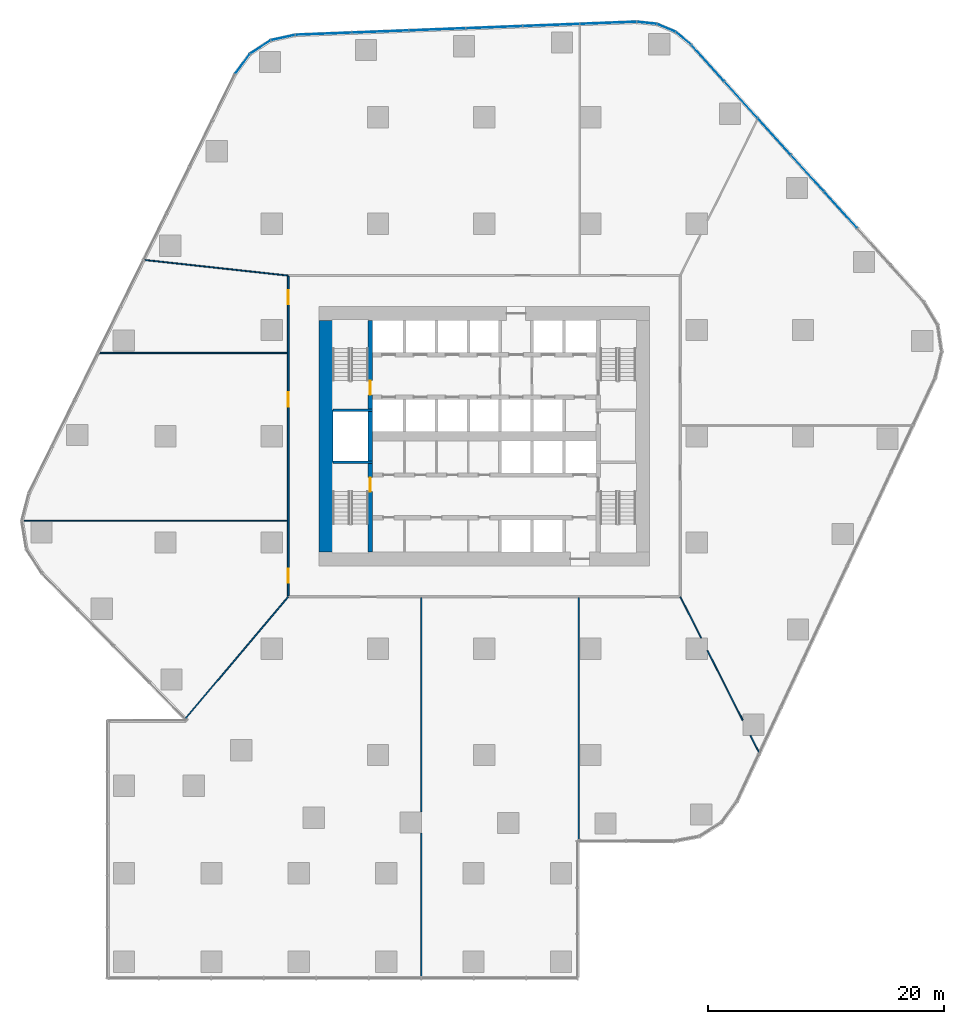
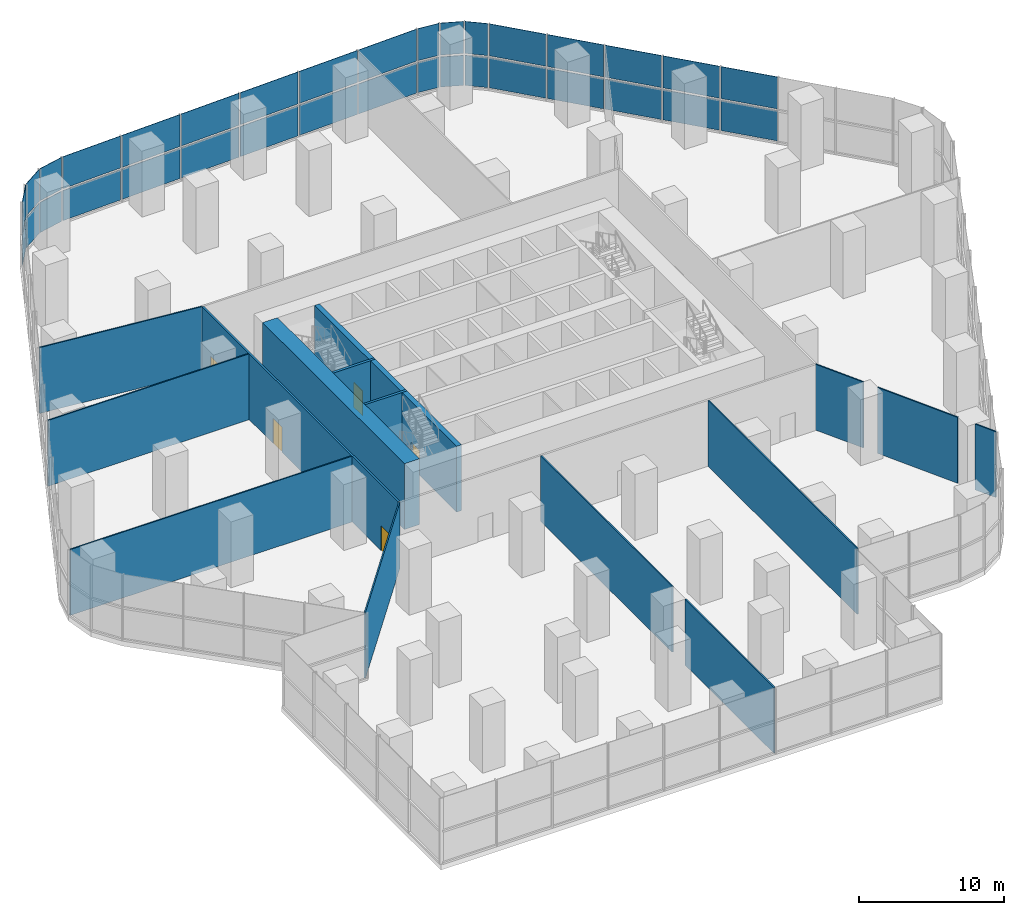
# One storey, part 10 of 15: 34 plates, 17 walls, 5 doors, 5 openings, 4 elements without a shape of their own.
"""IFC4 building model written with IfcOpenShell, lengths in metres."""

from ifc_helpers import new_model, si_unit, direction, frame, frame_2d, origin, origin_2d, place, context, subcontext, project, spatial, rectangle, extrude, material, layer, layer_set, type_object, element, fill, aggregate, save


model = new_model("IFC4")

# Units and contexts
model_context = context("Model", 3, precision=1e-05, world=origin(), true_north=direction((0.0, 1.0)))
body_context = subcontext(model_context, "Body", "Model", "MODEL_VIEW")
ifc_project = project(units=[si_unit("LENGTHUNIT", "METRE"), si_unit("AREAUNIT", "SQUARE_METRE"), si_unit("VOLUMEUNIT", "CUBIC_METRE"), si_unit("PLANEANGLEUNIT", "RADIAN"), si_unit("MASSUNIT", "GRAM", prefix="KILO")], contexts=[model_context])

# Site, building, storey
site_placement = place(None, origin())
site = spatial("IfcSite", under=ifc_project, at=site_placement, CompositionType="ELEMENT")
building_placement = place(site_placement, origin())
building = spatial("IfcBuilding", under=site, at=building_placement, Name="Dongbaek Canopy Tower", CompositionType="ELEMENT")
storey_placement = place(building_placement, frame((0.0, 0.0, 27.0)))
storey = spatial("IfcBuildingStorey", under=building, at=storey_placement, Name="L03", CompositionType="ELEMENT", Elevation=27.0)

# Curtain wall, plates
ifc_material_1 = material(Name="Aluminium 6063-T6 pale anodised", Category="aluminium")
ifc_layer_1 = layer(ifc_material_1, 0.300048828125)
ifc_layer_set_1 = layer_set([ifc_layer_1], Name="CW-2 podium hall curtain wall")
curtain_wall_type = type_object("IfcCurtainWallType", Name="CW-2 podium hall curtain wall", PredefinedType="NOTDEFINED", material=ifc_layer_set_1)
curtain_wall_1_placement = place(storey_placement, origin())
curtain_wall_1 = element("IfcCurtainWall", 1, at=curtain_wall_1_placement, inside=storey, type_object=curtain_wall_type, Name="CW-2 curtain wall F1.1", PredefinedType="NOTDEFINED")
ifc_material_2 = material(Name="Clear laminated glass", Category="glass")
ifc_layer_2 = layer(ifc_material_2, 0.035888671875)
ifc_layer_set_2 = layer_set([ifc_layer_2], Name="CW-2 glazed panel 36")
plate_type = type_object("IfcPlateType", Name="CW-2 glazed panel 36", PredefinedType="CURTAIN_PANEL", material=ifc_layer_set_2)
plate_1_placement = place(storey_placement, frame((30.193603515625, 19.164306640625, 0.16015625), z_axis=(0.0, 0.0, 1.0), x_axis=(-0.671259708345, 0.741222236547, 0.0)))
plate_1 = element("IfcPlate", 2, at=plate_1_placement, type_object=plate_type, Name="CW-2 panel F1.1.3.1", PredefinedType="CURTAIN_PANEL", context=body_context, shape_type="SweptSolid", body=[
    extrude(rectangle(XDim=4.091064453125, YDim=0.035888671875, at=origin_2d()), origin(), (0.0, 0.0, 1.0), 2.534912109375),
])
plate_2_placement = place(storey_placement, frame((30.193603515625, 19.164306640625, 2.85498046875), z_axis=(0.0, 0.0, 1.0), x_axis=(-0.671259708345, 0.741222236547, 0.0)))
plate_2 = element("IfcPlate", 3, at=plate_2_placement, type_object=plate_type, Name="CW-2 panel F1.1.3.2", PredefinedType="CURTAIN_PANEL", context=body_context, shape_type="SweptSolid", body=[
    extrude(rectangle(XDim=4.091064453125, YDim=0.035888671875, at=origin_2d()), origin(), (0.0, 0.0, 1.0), 2.695068359375),
])
plate_3_placement = place(storey_placement, frame((27.37744140625, 22.27392578125, 0.16015625), z_axis=(0.0, 0.0, 1.0), x_axis=(-0.671259708345, 0.741222236547, 0.0)))
plate_3 = element("IfcPlate", 4, at=plate_3_placement, type_object=plate_type, Name="CW-2 panel F1.1.4.1", PredefinedType="CURTAIN_PANEL", context=body_context, shape_type="SweptSolid", body=[
    extrude(rectangle(XDim=4.091064453125, YDim=0.035888671875, at=origin_2d()), origin(), (0.0, 0.0, 1.0), 2.534912109375),
])
plate_4_placement = place(storey_placement, frame((27.37744140625, 22.27392578125, 2.85498046875), z_axis=(0.0, 0.0, 1.0), x_axis=(-0.671259708345, 0.741222236547, 0.0)))
plate_4 = element("IfcPlate", 5, at=plate_4_placement, type_object=plate_type, Name="CW-2 panel F1.1.4.2", PredefinedType="CURTAIN_PANEL", context=body_context, shape_type="SweptSolid", body=[
    extrude(rectangle(XDim=4.091064453125, YDim=0.035888671875, at=origin_2d()), origin(), (0.0, 0.0, 1.0), 2.695068359375),
])
plate_5_placement = place(storey_placement, frame((24.5615234375, 25.38330078125, 0.16015625), z_axis=(0.0, 0.0, 1.0), x_axis=(-0.671259708345, 0.741222236547, 0.0)))
plate_5 = element("IfcPlate", 6, at=plate_5_placement, type_object=plate_type, Name="CW-2 panel F1.1.5.1", PredefinedType="CURTAIN_PANEL", context=body_context, shape_type="SweptSolid", body=[
    extrude(rectangle(XDim=4.091064453125, YDim=0.035888671875, at=origin_2d()), origin(), (0.0, 0.0, 1.0), 2.534912109375),
])
plate_6_placement = place(storey_placement, frame((24.5615234375, 25.38330078125, 2.85498046875), z_axis=(0.0, 0.0, 1.0), x_axis=(-0.671259708345, 0.741222236547, 0.0)))
plate_6 = element("IfcPlate", 7, at=plate_6_placement, type_object=plate_type, Name="CW-2 panel F1.1.5.2", PredefinedType="CURTAIN_PANEL", context=body_context, shape_type="SweptSolid", body=[
    extrude(rectangle(XDim=4.091064453125, YDim=0.035888671875, at=origin_2d()), origin(), (0.0, 0.0, 1.0), 2.695068359375),
])
plate_7_placement = place(storey_placement, frame((21.745361328125, 28.492919921875, 0.16015625), z_axis=(0.0, 0.0, 1.0), x_axis=(-0.671259708345, 0.741222236547, 0.0)))
plate_7 = element("IfcPlate", 8, at=plate_7_placement, type_object=plate_type, Name="CW-2 panel F1.1.6.1", PredefinedType="CURTAIN_PANEL", context=body_context, shape_type="SweptSolid", body=[
    extrude(rectangle(XDim=4.091064453125, YDim=0.035888671875, at=origin_2d()), origin(), (0.0, 0.0, 1.0), 2.534912109375),
])
plate_8_placement = place(storey_placement, frame((21.745361328125, 28.492919921875, 2.85498046875), z_axis=(0.0, 0.0, 1.0), x_axis=(-0.671259708345, 0.741222236547, 0.0)))
plate_8 = element("IfcPlate", 9, at=plate_8_placement, type_object=plate_type, Name="CW-2 panel F1.1.6.2", PredefinedType="CURTAIN_PANEL", context=body_context, shape_type="SweptSolid", body=[
    extrude(rectangle(XDim=4.091064453125, YDim=0.035888671875, at=origin_2d()), origin(), (0.0, 0.0, 1.0), 2.695068359375),
])
plate_9_placement = place(storey_placement, frame((18.931884765625, 31.599609375, 0.16015625), z_axis=(0.0, 0.0, 1.0), x_axis=(-0.671259708345, 0.741222236547, 0.0)))
plate_9 = element("IfcPlate", 10, at=plate_9_placement, type_object=plate_type, Name="CW-2 panel F1.1.7.1", PredefinedType="CURTAIN_PANEL", context=body_context, shape_type="SweptSolid", body=[
    extrude(rectangle(XDim=4.083740234375, YDim=0.035888671875, at=origin_2d()), origin(), (0.0, 0.0, 1.0), 2.534912109375),
])
plate_10_placement = place(storey_placement, frame((18.931884765625, 31.599609375, 2.85498046875), z_axis=(0.0, 0.0, 1.0), x_axis=(-0.671259708345, 0.741222236547, 0.0)))
plate_10 = element("IfcPlate", 11, at=plate_10_placement, type_object=plate_type, Name="CW-2 panel F1.1.7.2", PredefinedType="CURTAIN_PANEL", context=body_context, shape_type="SweptSolid", body=[
    extrude(rectangle(XDim=4.083740234375, YDim=0.035888671875, at=origin_2d()), origin(), (0.0, 0.0, 1.0), 2.695068359375),
])
aggregate(curtain_wall_1, [plate_1, plate_2, plate_3, plate_4, plate_5, plate_6, plate_7, plate_8, plate_9, plate_10])

curtain_wall_2_placement = place(storey_placement, origin())
curtain_wall_2 = element("IfcCurtainWall", 12, at=curtain_wall_2_placement, inside=storey, type_object=curtain_wall_type, Name="CW-2 curtain wall K2.1", PredefinedType="NOTDEFINED")
plate_11_placement = place(storey_placement, frame((16.86328125, 33.6982421875, 0.16015625), z_axis=(0.0, 0.0, 1.0), x_axis=(-0.771648517797, 0.636049184405, 0.0)))
plate_11 = element("IfcPlate", 13, at=plate_11_placement, type_object=plate_type, Name="CW-2 panel K2.1.1.1", PredefinedType="CURTAIN_PANEL", context=body_context, shape_type="SweptSolid", body=[
    extrude(rectangle(XDim=1.6142578125, YDim=0.035888671875, at=origin_2d()), origin(), (0.0, 0.0, 1.0), 2.534912109375),
])
plate_12_placement = place(storey_placement, frame((16.86328125, 33.6982421875, 2.85498046875), z_axis=(0.0, 0.0, 1.0), x_axis=(-0.771648517797, 0.636049184405, 0.0)))
plate_12 = element("IfcPlate", 14, at=plate_12_placement, type_object=plate_type, Name="CW-2 panel K2.1.1.2", PredefinedType="CURTAIN_PANEL", context=body_context, shape_type="SweptSolid", body=[
    extrude(rectangle(XDim=1.6142578125, YDim=0.035888671875, at=origin_2d()), origin(), (0.0, 0.0, 1.0), 2.695068359375),
])
plate_13_placement = place(storey_placement, frame((15.412109375, 34.576416015625, 0.16015625), z_axis=(0.0, 0.0, 1.0), x_axis=(-0.921712269238, 0.387874325956, 0.0)))
plate_13 = element("IfcPlate", 15, at=plate_13_placement, type_object=plate_type, Name="CW-2 panel K2.1.2.1", PredefinedType="CURTAIN_PANEL", context=body_context, shape_type="SweptSolid", body=[
    extrude(rectangle(XDim=1.606689453125, YDim=0.035888671875, at=origin_2d()), origin(), (0.0, 0.0, 1.0), 2.534912109375),
])
plate_14_placement = place(storey_placement, frame((15.412109375, 34.576416015625, 2.85498046875), z_axis=(0.0, 0.0, 1.0), x_axis=(-0.921712269238, 0.387874325956, 0.0)))
plate_14 = element("IfcPlate", 16, at=plate_14_placement, type_object=plate_type, Name="CW-2 panel K2.1.2.2", PredefinedType="CURTAIN_PANEL", context=body_context, shape_type="SweptSolid", body=[
    extrude(rectangle(XDim=1.606689453125, YDim=0.035888671875, at=origin_2d()), origin(), (0.0, 0.0, 1.0), 2.695068359375),
])
plate_15_placement = place(storey_placement, frame((13.76953125, 35.000244140625, 0.16015625), z_axis=(0.0, 0.0, 1.0), x_axis=(-0.994250991543, 0.107074580622, 0.0)))
plate_15 = element("IfcPlate", 17, at=plate_15_placement, type_object=plate_type, Name="CW-2 panel K2.1.3.1", PredefinedType="CURTAIN_PANEL", context=body_context, shape_type="SweptSolid", body=[
    extrude(rectangle(XDim=1.6142578125, YDim=0.035888671875, at=origin_2d()), origin(), (0.0, 0.0, 1.0), 2.534912109375),
])
plate_16_placement = place(storey_placement, frame((13.76953125, 35.000244140625, 2.85498046875), z_axis=(0.0, 0.0, 1.0), x_axis=(-0.994250991543, 0.107074580622, 0.0)))
plate_16 = element("IfcPlate", 18, at=plate_16_placement, type_object=plate_type, Name="CW-2 panel K2.1.3.2", PredefinedType="CURTAIN_PANEL", context=body_context, shape_type="SweptSolid", body=[
    extrude(rectangle(XDim=1.6142578125, YDim=0.035888671875, at=origin_2d()), origin(), (0.0, 0.0, 1.0), 2.695068359375),
])
aggregate(curtain_wall_2, [plate_11, plate_12, plate_13, plate_14, plate_15, plate_16])

curtain_wall_3_placement = place(storey_placement, origin())
curtain_wall_3 = element("IfcCurtainWall", 19, at=curtain_wall_3_placement, inside=storey, type_object=curtain_wall_type, Name="CW-2 curtain wall F2.1", PredefinedType="NOTDEFINED")
plate_17_placement = place(storey_placement, frame((10.507080078125, 35.0, 0.16015625), z_axis=(0.0, 0.0, 1.0), x_axis=(-0.999268890746, -0.038231975991, 0.0)))
plate_17 = element("IfcPlate", 20, at=plate_17_placement, type_object=plate_type, Name="CW-2 panel F2.1.1.1", PredefinedType="CURTAIN_PANEL", context=body_context, shape_type="SweptSolid", body=[
    extrude(rectangle(XDim=4.716064453125, YDim=0.035888671875, at=origin_2d()), origin(), (0.0, 0.0, 1.0), 2.534912109375),
])
plate_18_placement = place(storey_placement, frame((10.507080078125, 35.0, 2.85498046875), z_axis=(0.0, 0.0, 1.0), x_axis=(-0.999268890746, -0.038231975991, 0.0)))
plate_18 = element("IfcPlate", 21, at=plate_18_placement, type_object=plate_type, Name="CW-2 panel F2.1.1.2", PredefinedType="CURTAIN_PANEL", context=body_context, shape_type="SweptSolid", body=[
    extrude(rectangle(XDim=4.716064453125, YDim=0.035888671875, at=origin_2d()), origin(), (0.0, 0.0, 1.0), 2.695068359375),
])
plate_19_placement = place(storey_placement, frame((5.686767578125, 34.815673828125, 0.16015625), z_axis=(0.0, 0.0, 1.0), x_axis=(-0.999268890746, -0.038231975991, 0.0)))
plate_19 = element("IfcPlate", 22, at=plate_19_placement, type_object=plate_type, Name="CW-2 panel F2.1.2.1", PredefinedType="CURTAIN_PANEL", context=body_context, shape_type="SweptSolid", body=[
    extrude(rectangle(XDim=4.723388671875, YDim=0.035888671875, at=origin_2d()), origin(), (0.0, 0.0, 1.0), 2.534912109375),
])
plate_20_placement = place(storey_placement, frame((5.686767578125, 34.815673828125, 2.85498046875), z_axis=(0.0, 0.0, 1.0), x_axis=(-0.999268890746, -0.038231975991, 0.0)))
plate_20 = element("IfcPlate", 23, at=plate_20_placement, type_object=plate_type, Name="CW-2 panel F2.1.2.2", PredefinedType="CURTAIN_PANEL", context=body_context, shape_type="SweptSolid", body=[
    extrude(rectangle(XDim=4.723388671875, YDim=0.035888671875, at=origin_2d()), origin(), (0.0, 0.0, 1.0), 2.695068359375),
])
plate_21_placement = place(storey_placement, frame((0.86279296875, 34.631103515625, 0.16015625), z_axis=(0.0, 0.0, 1.0), x_axis=(-0.999268890746, -0.038231975991, 0.0)))
plate_21 = element("IfcPlate", 24, at=plate_21_placement, type_object=plate_type, Name="CW-2 panel F2.1.3.1", PredefinedType="CURTAIN_PANEL", context=body_context, shape_type="SweptSolid", body=[
    extrude(rectangle(XDim=4.723388671875, YDim=0.035888671875, at=origin_2d()), origin(), (0.0, 0.0, 1.0), 2.534912109375),
])
plate_22_placement = place(storey_placement, frame((0.86279296875, 34.631103515625, 2.85498046875), z_axis=(0.0, 0.0, 1.0), x_axis=(-0.999268890746, -0.038231975991, 0.0)))
plate_22 = element("IfcPlate", 25, at=plate_22_placement, type_object=plate_type, Name="CW-2 panel F2.1.3.2", PredefinedType="CURTAIN_PANEL", context=body_context, shape_type="SweptSolid", body=[
    extrude(rectangle(XDim=4.723388671875, YDim=0.035888671875, at=origin_2d()), origin(), (0.0, 0.0, 1.0), 2.695068359375),
])
plate_23_placement = place(storey_placement, frame((-3.9609375, 34.446533203125, 0.16015625), z_axis=(0.0, 0.0, 1.0), x_axis=(-0.999268890746, -0.038231975991, 0.0)))
plate_23 = element("IfcPlate", 26, at=plate_23_placement, type_object=plate_type, Name="CW-2 panel F2.1.4.1", PredefinedType="CURTAIN_PANEL", context=body_context, shape_type="SweptSolid", body=[
    extrude(rectangle(XDim=4.723388671875, YDim=0.035888671875, at=origin_2d()), origin(), (0.0, 0.0, 1.0), 2.534912109375),
])
plate_24_placement = place(storey_placement, frame((-3.9609375, 34.446533203125, 2.85498046875), z_axis=(0.0, 0.0, 1.0), x_axis=(-0.999268890746, -0.038231975991, 0.0)))
plate_24 = element("IfcPlate", 27, at=plate_24_placement, type_object=plate_type, Name="CW-2 panel F2.1.4.2", PredefinedType="CURTAIN_PANEL", context=body_context, shape_type="SweptSolid", body=[
    extrude(rectangle(XDim=4.723388671875, YDim=0.035888671875, at=origin_2d()), origin(), (0.0, 0.0, 1.0), 2.695068359375),
])
plate_25_placement = place(storey_placement, frame((-8.784912109375, 34.261962890625, 0.16015625), z_axis=(0.0, 0.0, 1.0), x_axis=(-0.999268890746, -0.038231975991, 0.0)))
plate_25 = element("IfcPlate", 28, at=plate_25_placement, type_object=plate_type, Name="CW-2 panel F2.1.5.1", PredefinedType="CURTAIN_PANEL", context=body_context, shape_type="SweptSolid", body=[
    extrude(rectangle(XDim=4.723388671875, YDim=0.035888671875, at=origin_2d()), origin(), (0.0, 0.0, 1.0), 2.534912109375),
])
plate_26_placement = place(storey_placement, frame((-8.784912109375, 34.261962890625, 2.85498046875), z_axis=(0.0, 0.0, 1.0), x_axis=(-0.999268890746, -0.038231975991, 0.0)))
plate_26 = element("IfcPlate", 29, at=plate_26_placement, type_object=plate_type, Name="CW-2 panel F2.1.5.2", PredefinedType="CURTAIN_PANEL", context=body_context, shape_type="SweptSolid", body=[
    extrude(rectangle(XDim=4.723388671875, YDim=0.035888671875, at=origin_2d()), origin(), (0.0, 0.0, 1.0), 2.695068359375),
])
plate_27_placement = place(storey_placement, frame((-13.604248046875, 34.07763671875, 0.16015625), z_axis=(0.0, 0.0, 1.0), x_axis=(-0.999268890746, -0.038231975991, 0.0)))
plate_27 = element("IfcPlate", 30, at=plate_27_placement, type_object=plate_type, Name="CW-2 panel F2.1.6.1", PredefinedType="CURTAIN_PANEL", context=body_context, shape_type="SweptSolid", body=[
    extrude(rectangle(XDim=4.71435546875, YDim=0.035888671875, at=origin_2d()), origin(), (0.0, 0.0, 1.0), 2.534912109375),
])
plate_28_placement = place(storey_placement, frame((-13.604248046875, 34.07763671875, 2.85498046875), z_axis=(0.0, 0.0, 1.0), x_axis=(-0.999268890746, -0.038231975991, 0.0)))
plate_28 = element("IfcPlate", 31, at=plate_28_placement, type_object=plate_type, Name="CW-2 panel F2.1.6.2", PredefinedType="CURTAIN_PANEL", context=body_context, shape_type="SweptSolid", body=[
    extrude(rectangle(XDim=4.71435546875, YDim=0.035888671875, at=origin_2d()), origin(), (0.0, 0.0, 1.0), 2.695068359375),
])
aggregate(curtain_wall_3, [plate_17, plate_18, plate_19, plate_20, plate_21, plate_22, plate_23, plate_24, plate_25, plate_26, plate_27, plate_28])

curtain_wall_4_placement = place(storey_placement, origin())
curtain_wall_4 = element("IfcCurtainWall", 32, at=curtain_wall_4_placement, inside=storey, type_object=curtain_wall_type, Name="CW-2 curtain wall K3.1", PredefinedType="NOTDEFINED")
plate_29_placement = place(storey_placement, frame((-17.04296875, 33.757568359375, 0.16015625), z_axis=(0.0, 0.0, 1.0), x_axis=(-0.976443135991, -0.215774887734, 0.0)))
plate_29 = element("IfcPlate", 33, at=plate_29_placement, type_object=plate_type, Name="CW-2 panel K3.1.1.1", PredefinedType="CURTAIN_PANEL", context=body_context, shape_type="SweptSolid", body=[
    extrude(rectangle(XDim=2.00830078125, YDim=0.035888671875, at=origin_2d()), origin(), (0.0, 0.0, 1.0), 2.534912109375),
])
plate_30_placement = place(storey_placement, frame((-17.04296875, 33.757568359375, 2.85498046875), z_axis=(0.0, 0.0, 1.0), x_axis=(-0.976443135991, -0.215774887734, 0.0)))
plate_30 = element("IfcPlate", 34, at=plate_30_placement, type_object=plate_type, Name="CW-2 panel K3.1.1.2", PredefinedType="CURTAIN_PANEL", context=body_context, shape_type="SweptSolid", body=[
    extrude(rectangle(XDim=2.00830078125, YDim=0.035888671875, at=origin_2d()), origin(), (0.0, 0.0, 1.0), 2.695068359375),
])
plate_31_placement = place(storey_placement, frame((-18.956298828125, 32.956787109375, 0.16015625), z_axis=(0.0, 0.0, 1.0), x_axis=(-0.83866333439, -0.544650173552, 0.0)))
plate_31 = element("IfcPlate", 35, at=plate_31_placement, type_object=plate_type, Name="CW-2 panel K3.1.2.1", PredefinedType="CURTAIN_PANEL", context=body_context, shape_type="SweptSolid", body=[
    extrude(rectangle(XDim=1.999267578125, YDim=0.035888671875, at=origin_2d()), origin(), (0.0, 0.0, 1.0), 2.534912109375),
])
plate_32_placement = place(storey_placement, frame((-18.956298828125, 32.956787109375, 2.85498046875), z_axis=(0.0, 0.0, 1.0), x_axis=(-0.83866333439, -0.544650173552, 0.0)))
plate_32 = element("IfcPlate", 36, at=plate_32_placement, type_object=plate_type, Name="CW-2 panel K3.1.2.2", PredefinedType="CURTAIN_PANEL", context=body_context, shape_type="SweptSolid", body=[
    extrude(rectangle(XDim=1.999267578125, YDim=0.035888671875, at=origin_2d()), origin(), (0.0, 0.0, 1.0), 2.695068359375),
])
plate_33_placement = place(storey_placement, frame((-20.4658203125, 31.53466796875, 0.16015625), z_axis=(0.0, 0.0, 1.0), x_axis=(-0.594253266515, -0.804277971373, 0.0)))
plate_33 = element("IfcPlate", 37, at=plate_33_placement, type_object=plate_type, Name="CW-2 panel K3.1.3.1", PredefinedType="CURTAIN_PANEL", context=body_context, shape_type="SweptSolid", body=[
    extrude(rectangle(XDim=2.00830078125, YDim=0.035888671875, at=origin_2d()), origin(), (0.0, 0.0, 1.0), 2.534912109375),
])
plate_34_placement = place(storey_placement, frame((-20.4658203125, 31.53466796875, 2.85498046875), z_axis=(0.0, 0.0, 1.0), x_axis=(-0.594253266515, -0.804277971373, 0.0)))
plate_34 = element("IfcPlate", 38, at=plate_34_placement, type_object=plate_type, Name="CW-2 panel K3.1.3.2", PredefinedType="CURTAIN_PANEL", context=body_context, shape_type="SweptSolid", body=[
    extrude(rectangle(XDim=2.00830078125, YDim=0.035888671875, at=origin_2d()), origin(), (0.0, 0.0, 1.0), 2.695068359375),
])
aggregate(curtain_wall_4, [plate_29, plate_30, plate_31, plate_32, plate_33, plate_34])

# Wall
ifc_material_3 = material(Name="Concrete C60/75", Category="concrete")
ifc_layer_3 = layer(ifc_material_3, 1.199951171875)
ifc_layer_set_3 = layer_set([ifc_layer_3], Name="Core outer wall 1200 Concrete C60/75")
wall_type_1 = type_object("IfcWallType", Name="Core outer wall 1200 Concrete C60/75", PredefinedType="SHEAR", material=ifc_layer_set_3)
wall_1_placement = place(storey_placement, frame((-13.39990234375, -9.800048828125, 0.0), z_axis=(0.0, 0.0, 1.0), x_axis=(0.0, 1.0, 0.0)))
element("IfcWall", 39, at=wall_1_placement, inside=storey, type_object=wall_type_1, Name="Core wall", PredefinedType="SHEAR", context=body_context, shape_type="SweptSolid", body=[
    extrude(rectangle(XDim=19.60009765625, YDim=1.199951171875, at=frame_2d((9.800048828125, 0.0))), origin(), (0.0, 0.0, 1.0), 5.550048828125),
])

# Wall, openings, doors
ifc_material_4 = material(Name="Gypsum board partition, steel stud, 2 x 15 mm fire board", Category="steel")
ifc_layer_4 = layer(ifc_material_4, 0.14990234375)
ifc_layer_set_4 = layer_set([ifc_layer_4], Name="Fire-rated partition 150 gypsum board")
wall_type_2 = type_object("IfcWallType", Name="Fire-rated partition 150 gypsum board", PredefinedType="PARTITIONING", material=ifc_layer_set_4)
wall_2_placement = place(storey_placement, frame((-16.60009765625, -13.52490234375, 0.0), z_axis=(0.0, 0.0, 1.0), x_axis=(0.0, 1.0, 0.0)))
wall_2 = element("IfcWall", 40, at=wall_2_placement, inside=storey, type_object=wall_type_2, Name="Corridor partition", PredefinedType="PARTITIONING", context=body_context, shape_type="SweptSolid", body=[
    extrude(rectangle(XDim=27.0498046875, YDim=0.14990234375, at=frame_2d((13.52490234375, 0.0))), origin(), (0.0, 0.0, 1.0), 5.550048828125),
])
opening_1_placement = place(wall_2_placement, frame((16.02783203125, 0.0, 0.0)))
opening_1 = element("IfcOpeningElement", 41, at=opening_1_placement, cuts=wall_2, Name="Opening L03-D001", PredefinedType="OPENING", context=body_context, shape_type="SweptSolid", body=[
    extrude(rectangle(XDim=1.199951171875, YDim=2.10009765625, at=frame_2d((0.60009765625, 1.050048828125))), frame((0.0, 0.0849609375, 0.0), z_axis=(0.0, -1.0, 0.0), x_axis=(1.0, 0.0, 0.0)), (0.0, 0.0, 1.0), 0.169921875),
])
opening_2_placement = place(wall_2_placement, frame((1.121337890625, 0.0, 0.0)))
opening_2 = element("IfcOpeningElement", 42, at=opening_2_placement, cuts=wall_2, Name="Opening L03-D002", PredefinedType="OPENING", context=body_context, shape_type="SweptSolid", body=[
    extrude(rectangle(XDim=1.199951171875, YDim=2.10009765625, at=frame_2d((0.60009765625, 1.050048828125))), frame((0.0, 0.0849609375, 0.0), z_axis=(0.0, -1.0, 0.0), x_axis=(1.0, 0.0, 0.0)), (0.0, 0.0, 1.0), 0.169921875),
])
opening_3_placement = place(wall_2_placement, frame((24.705078125, 0.0, 0.0)))
opening_3 = element("IfcOpeningElement", 43, at=opening_3_placement, cuts=wall_2, Name="Opening L03-D010", PredefinedType="OPENING", context=body_context, shape_type="SweptSolid", body=[
    extrude(rectangle(XDim=1.199951171875, YDim=2.10009765625, at=frame_2d((0.60009765625, 1.050048828125))), frame((0.0, 0.0849609375, 0.0), z_axis=(0.0, -1.0, 0.0), x_axis=(1.0, 0.0, 0.0)), (0.0, 0.0, 1.0), 0.169921875),
])
ifc_material_5 = material(Name="Timber veneered door leaf", Category="wood")
door_type_1 = type_object("IfcDoorType", Name="Room door 1200 x 2100", OperationType="SINGLE_SWING_LEFT", PredefinedType="DOOR", material=ifc_material_5)
door_1_placement = place(opening_1_placement, origin())
door_1 = element("IfcDoor", 44, at=door_1_placement, inside=storey, type_object=door_type_1, Name="Door L03-D001", OperationType="SINGLE_SWING_RIGHT", OverallHeight=2.10009765625, OverallWidth=1.199951171875, PredefinedType="DOOR", context=body_context, shape_type="SweptSolid", body=[
    extrude(rectangle(XDim=1.199951171875, YDim=2.10009765625, at=frame_2d((0.60009765625, 1.050048828125))), frame((0.0, 0.02490234375, 0.0), z_axis=(0.0, -1.0, 0.0), x_axis=(1.0, 0.0, 0.0)), (0.0, 0.0, 1.0), 0.050048828125),
])
fill(opening_1, door_1)
door_2_placement = place(opening_2_placement, origin())
door_2 = element("IfcDoor", 45, at=door_2_placement, inside=storey, type_object=door_type_1, Name="Door L03-D002", OperationType="SINGLE_SWING_LEFT", OverallHeight=2.10009765625, OverallWidth=1.199951171875, PredefinedType="DOOR", context=body_context, shape_type="SweptSolid", body=[
    extrude(rectangle(XDim=1.199951171875, YDim=2.10009765625, at=frame_2d((0.60009765625, 1.050048828125))), frame((0.0, 0.02490234375, 0.0), z_axis=(0.0, -1.0, 0.0), x_axis=(1.0, 0.0, 0.0)), (0.0, 0.0, 1.0), 0.050048828125),
])
fill(opening_2, door_2)
door_3_placement = place(opening_3_placement, origin())
door_3 = element("IfcDoor", 46, at=door_3_placement, inside=storey, type_object=door_type_1, Name="Door L03-D010", OperationType="SINGLE_SWING_LEFT", OverallHeight=2.10009765625, OverallWidth=1.199951171875, PredefinedType="DOOR", context=body_context, shape_type="SweptSolid", body=[
    extrude(rectangle(XDim=1.199951171875, YDim=2.10009765625, at=frame_2d((0.60009765625, 1.050048828125))), frame((0.0, 0.02490234375, 0.0), z_axis=(0.0, -1.0, 0.0), x_axis=(1.0, 0.0, 0.0)), (0.0, 0.0, 1.0), 0.050048828125),
])
fill(opening_3, door_3)

# Walls
ifc_material_6 = material(Name="Gypsum board partition, steel stud, 2 x 12.5 mm board", Category="steel")
ifc_layer_5 = layer(ifc_material_6, 0.10009765625)
ifc_layer_set_5 = layer_set([ifc_layer_5], Name="Partition 100 gypsum board")
wall_type_3 = type_object("IfcWallType", Name="Partition 100 gypsum board", PredefinedType="PARTITIONING", material=ifc_layer_set_5)
wall_3_placement = place(storey_placement, frame((-39.139892578125, -7.16796875, 0.0), z_axis=(0.0, 0.0, 1.0), x_axis=(1.0, 0.0, 0.0)))
element("IfcWall", 47, at=wall_3_placement, inside=storey, type_object=wall_type_3, Name="Partition", PredefinedType="PARTITIONING", context=body_context, shape_type="SweptSolid", body=[
    extrude(rectangle(XDim=22.46484375, YDim=0.10009765625, at=frame_2d((11.232421875, 0.0))), origin(), (0.0, 0.0, 1.0), 5.550048828125),
])
wall_4_placement = place(storey_placement, frame((-32.6953125, 7.051025390625, 0.0), z_axis=(0.0, 0.0, 1.0), x_axis=(1.0, 0.0, 0.0)))
element("IfcWall", 48, at=wall_4_placement, inside=storey, type_object=wall_type_3, Name="Partition", PredefinedType="PARTITIONING", context=body_context, shape_type="SweptSolid", body=[
    extrude(rectangle(XDim=16.020263671875, YDim=0.10009765625, at=frame_2d((8.01025390625, 0.0))), origin(), (0.0, 0.0, 1.0), 5.550048828125),
])
wall_5_placement = place(storey_placement, frame((-25.304443359375, -23.907958984375, 0.0), z_axis=(0.0, 0.0, 1.0), x_axis=(0.645188329464, 0.764023572623, 0.0)))
element("IfcWall", 49, at=wall_5_placement, inside=storey, type_object=wall_type_3, Name="Partition", PredefinedType="PARTITIONING", context=body_context, shape_type="SweptSolid", body=[
    extrude(rectangle(XDim=13.491455078125, YDim=0.10009765625, at=frame_2d((6.74560546875, 0.0))), origin(), (0.0, 0.0, 1.0), 5.550048828125),
])
wall_6_placement = place(storey_placement, frame((8.0, -34.260009765625, 0.0), z_axis=(0.0, 0.0, 1.0), x_axis=(0.0, 1.0, 0.0)))
element("IfcWall", 50, at=wall_6_placement, inside=storey, type_object=wall_type_3, Name="Partition", PredefinedType="PARTITIONING", context=body_context, shape_type="SweptSolid", body=[
    extrude(rectangle(XDim=20.5849609375, YDim=0.10009765625, at=frame_2d((10.29248046875, 0.0))), origin(), (0.0, 0.0, 1.0), 5.550048828125),
])
wall_7_placement = place(storey_placement, frame((-5.3330078125, -45.8798828125, 0.0), z_axis=(0.0, 0.0, 1.0), x_axis=(0.0, 1.0, 0.0)))
element("IfcWall", 51, at=wall_7_placement, inside=storey, type_object=wall_type_3, Name="Partition", PredefinedType="PARTITIONING", context=body_context, shape_type="SweptSolid", body=[
    extrude(rectangle(XDim=12.262939453125, YDim=0.10009765625, at=frame_2d((6.13134765625, 0.0))), origin(), (0.0, 0.0, 1.0), 5.550048828125),
])
wall_8_placement = place(storey_placement, frame((-5.3330078125, -31.81689453125, 0.0), z_axis=(0.0, 0.0, 1.0), x_axis=(0.0, 1.0, 0.0)))
element("IfcWall", 52, at=wall_8_placement, inside=storey, type_object=wall_type_3, Name="Partition", PredefinedType="PARTITIONING", context=body_context, shape_type="SweptSolid", body=[
    extrude(rectangle(XDim=18.141845703125, YDim=0.10009765625, at=frame_2d((9.07080078125, 0.0))), origin(), (0.0, 0.0, 1.0), 5.550048828125),
])
wall_9_placement = place(storey_placement, frame((16.60009765625, -13.599853515625, 0.0), z_axis=(0.0, 0.0, 1.0), x_axis=(0.451663698234, -0.892188266958, 0.0)))
element("IfcWall", 53, at=wall_9_placement, inside=storey, type_object=wall_type_3, Name="Partition", PredefinedType="PARTITIONING", context=body_context, shape_type="SweptSolid", body=[
    extrude(rectangle(XDim=3.923095703125, YDim=0.10009765625, at=frame_2d((1.96142578125, 0.0))), origin(), (0.0, 0.0, 1.0), 5.550048828125),
])
wall_10_placement = place(storey_placement, frame((18.89990234375, -18.14306640625, 0.0), z_axis=(0.0, 0.0, 1.0), x_axis=(0.451674644957, -0.892182725176, 0.0)))
element("IfcWall", 54, at=wall_10_placement, inside=storey, type_object=wall_type_3, Name="Partition", PredefinedType="PARTITIONING", context=body_context, shape_type="SweptSolid", body=[
    extrude(rectangle(XDim=6.624755859375, YDim=0.10009765625, at=frame_2d((3.3125, 0.0))), origin(), (0.0, 0.0, 1.0), 5.550048828125),
])
wall_11_placement = place(storey_placement, frame((22.544921875, -25.343017578125, 0.0), z_axis=(0.0, 0.0, 1.0), x_axis=(0.451627018025, -0.892206835095, 0.0)))
element("IfcWall", 55, at=wall_11_placement, inside=storey, type_object=wall_type_3, Name="Partition", PredefinedType="PARTITIONING", context=body_context, shape_type="SweptSolid", body=[
    extrude(rectangle(XDim=1.6796875, YDim=0.10009765625, at=frame_2d((0.83984375, 0.0))), origin(), (0.0, 0.0, 1.0), 5.550048828125),
])
wall_12_placement = place(storey_placement, frame((-28.819091796875, 14.931396484375, 0.0), z_axis=(0.0, 0.0, 1.0), x_axis=(0.994112645196, -0.108351505116, 0.0)))
element("IfcWall", 56, at=wall_12_placement, inside=storey, type_object=wall_type_3, Name="Partition", PredefinedType="PARTITIONING", context=body_context, shape_type="SweptSolid", body=[
    extrude(rectangle(XDim=12.291259765625, YDim=0.10009765625, at=frame_2d((6.1455078125, 0.0))), origin(), (0.0, 0.0, 1.0), 5.550048828125),
])
ifc_material_7 = material(Name="Concrete C60/75", Category="concrete")
ifc_layer_6 = layer(ifc_material_7, 0.199951171875)
ifc_layer_set_6 = layer_set([ifc_layer_6], Name="Riser wall 200 Concrete C60/75")
wall_type_4 = type_object("IfcWallType", Name="Riser wall 200 Concrete C60/75", PredefinedType="SHEAR", material=ifc_layer_set_6)
for number, where, z_axis, x_axis, name in (
    (57, (-9.449951171875, 2.199951171875, 0.0), (0.0, 0.0, 1.0), (-1.0, 0.0, 0.0), "Riser wall"),
    (58, (-9.449951171875, -2.199951171875, 0.0), (0.0, 0.0, 1.0), (-1.0, 0.0, 0.0), "Riser wall"),
):
    element("IfcWall", number, at=place(storey_placement, frame(where, z_axis=z_axis, x_axis=x_axis)), inside=storey, type_object=wall_type_4, Name=name, PredefinedType="SHEAR", context=body_context, shape_type="SweptSolid", body=[
        extrude(rectangle(XDim=3.35009765625, YDim=0.199951171875, at=frame_2d((1.675048828125, 0.0))), origin(), (0.0, 0.0, 1.0), 5.550048828125),
    ])

# Wall, opening, door
ifc_material_8 = material(Name="Concrete C60/75", Category="concrete")
ifc_layer_7 = layer(ifc_material_8, 0.39990234375)
ifc_layer_set_7 = layer_set([ifc_layer_7], Name="Stair wall 400 Concrete C60/75")
wall_type_5 = type_object("IfcWallType", Name="Stair wall 400 Concrete C60/75", PredefinedType="SHEAR", material=ifc_layer_set_7)
wall_13_placement = place(storey_placement, frame((-9.64990234375, -9.800048828125, 0.0), z_axis=(0.0, 0.0, 1.0), x_axis=(0.0, 1.0, 0.0)))
wall_13 = element("IfcWall", 59, at=wall_13_placement, inside=storey, type_object=wall_type_5, Name="Stair wall", PredefinedType="SHEAR", context=body_context, shape_type="SweptSolid", body=[
    extrude(rectangle(XDim=7.5, YDim=0.39990234375, at=frame_2d((3.75, 0.0))), origin(), (0.0, 0.0, 1.0), 5.550048828125),
])
opening_4_placement = place(wall_13_placement, frame((5.10009765625, 0.0, 0.0)))
opening_4 = element("IfcOpeningElement", 60, at=opening_4_placement, cuts=wall_13, Name="Opening L03-D040", PredefinedType="OPENING", context=body_context, shape_type="SweptSolid", body=[
    extrude(rectangle(XDim=1.199951171875, YDim=2.10009765625, at=frame_2d((0.60009765625, 1.050048828125))), frame((0.0, 0.2099609375, 0.0), z_axis=(0.0, -1.0, 0.0), x_axis=(1.0, 0.0, 0.0)), (0.0, 0.0, 1.0), 0.419921875),
])
ifc_material_9 = material(Name="Steel", Category="steel")
door_type_2 = type_object("IfcDoorType", Name="Stair door 1200 x 2100", OperationType="SINGLE_SWING_LEFT", PredefinedType="DOOR", material=ifc_material_9)
door_4_placement = place(opening_4_placement, origin())
door_4 = element("IfcDoor", 61, at=door_4_placement, inside=storey, type_object=door_type_2, Name="Stair D door", OperationType="SINGLE_SWING_LEFT", OverallHeight=2.10009765625, OverallWidth=1.199951171875, PredefinedType="DOOR", context=body_context, shape_type="SweptSolid", body=[
    extrude(rectangle(XDim=1.199951171875, YDim=2.10009765625, at=frame_2d((0.60009765625, 1.050048828125))), frame((0.0, 0.02490234375, 0.0), z_axis=(0.0, -1.0, 0.0), x_axis=(1.0, 0.0, 0.0)), (0.0, 0.0, 1.0), 0.050048828125),
])
fill(opening_4, door_4)

# Wall
wall_14_placement = place(storey_placement, frame((-9.64990234375, -2.10009765625, 0.0), z_axis=(0.0, 0.0, 1.0), x_axis=(0.0, 1.0, 0.0)))
element("IfcWall", 62, at=wall_14_placement, inside=storey, type_object=wall_type_5, Name="Stair wall", PredefinedType="SHEAR", context=body_context, shape_type="SweptSolid", body=[
    extrude(rectangle(XDim=4.2001953125, YDim=0.39990234375, at=frame_2d((2.10009765625, 0.0))), origin(), (0.0, 0.0, 1.0), 5.550048828125),
])

# Wall, opening, door
wall_15_placement = place(storey_placement, frame((-9.64990234375, 2.300048828125, 0.0), z_axis=(0.0, 0.0, 1.0), x_axis=(0.0, 1.0, 0.0)))
wall_15 = element("IfcWall", 63, at=wall_15_placement, inside=storey, type_object=wall_type_5, Name="Stair wall", PredefinedType="SHEAR", context=body_context, shape_type="SweptSolid", body=[
    extrude(rectangle(XDim=7.5, YDim=0.39990234375, at=frame_2d((3.75, 0.0))), origin(), (0.0, 0.0, 1.0), 5.550048828125),
])
opening_5_placement = place(wall_15_placement, frame((1.199951171875, 0.0, 0.0)))
opening_5 = element("IfcOpeningElement", 64, at=opening_5_placement, cuts=wall_15, Name="Opening L03-D038", PredefinedType="OPENING", context=body_context, shape_type="SweptSolid", body=[
    extrude(rectangle(XDim=1.199951171875, YDim=2.10009765625, at=frame_2d((0.60009765625, 1.050048828125))), frame((0.0, 0.2099609375, 0.0), z_axis=(0.0, -1.0, 0.0), x_axis=(1.0, 0.0, 0.0)), (0.0, 0.0, 1.0), 0.419921875),
])
door_5_placement = place(opening_5_placement, origin())
door_5 = element("IfcDoor", 65, at=door_5_placement, inside=storey, type_object=door_type_2, Name="Stair C door", OperationType="SINGLE_SWING_RIGHT", OverallHeight=2.10009765625, OverallWidth=1.199951171875, PredefinedType="DOOR", context=body_context, shape_type="SweptSolid", body=[
    extrude(rectangle(XDim=1.199951171875, YDim=2.10009765625, at=frame_2d((0.60009765625, 1.050048828125))), frame((0.0, 0.02490234375, 0.0), z_axis=(0.0, -1.0, 0.0), x_axis=(1.0, 0.0, 0.0)), (0.0, 0.0, 1.0), 0.050048828125),
])
fill(opening_5, door_5)

save(model, "model.ifc")
